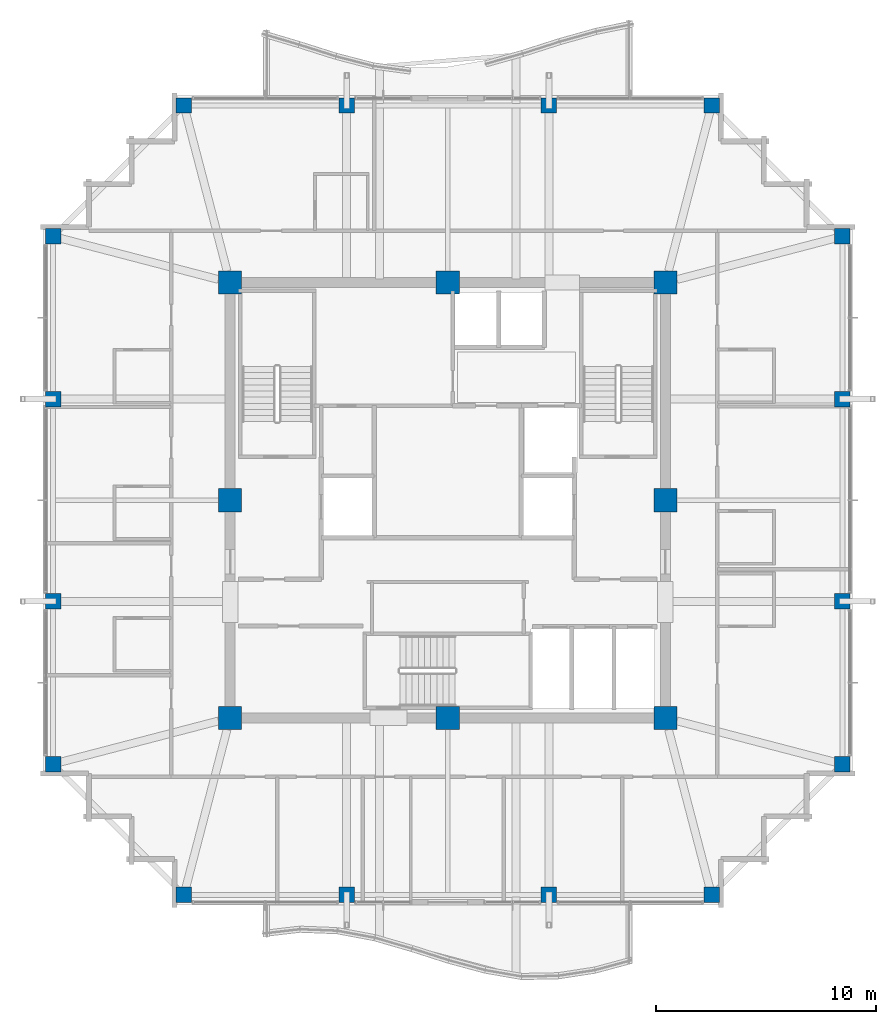
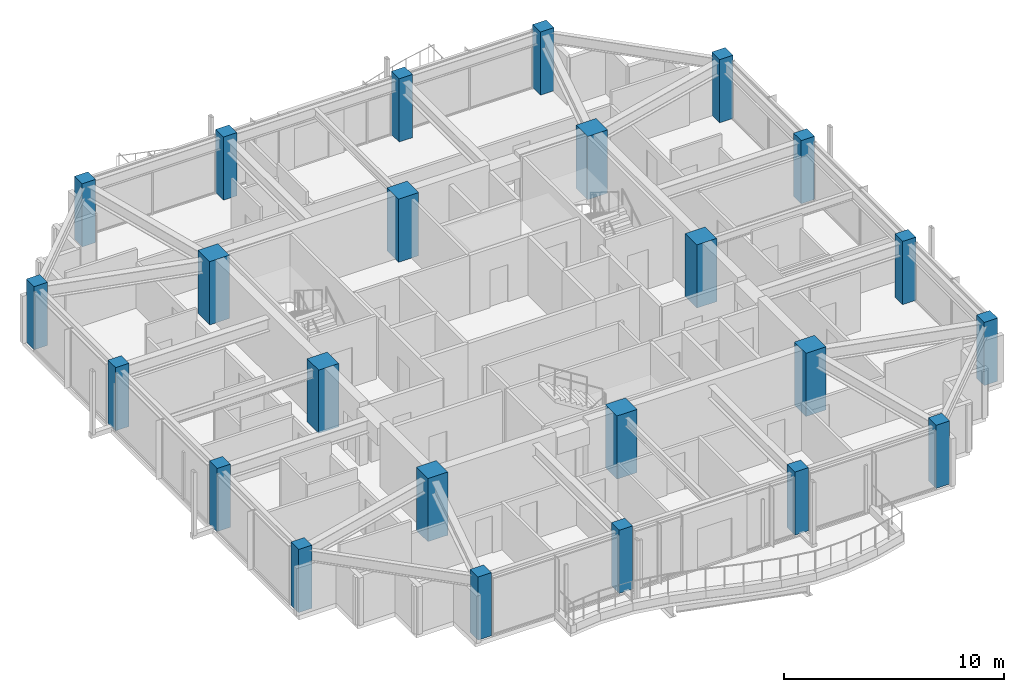
# One storey, part 1 of 31: 24 columns.
"""IFC4 building model written with IfcOpenShell, lengths in metres."""

from ifc_helpers import new_model, si_unit, direction, frame, origin, origin_2d, place, context, subcontext, project, spatial, rectangle, extrude, material, material_profile, profile_set, type_object, element, save


model = new_model("IFC4")

# Units and contexts
model_context = context("Model", 3, precision=1e-05, world=origin(), true_north=direction((0.0, 1.0)))
body_context = subcontext(model_context, "Body", "Model", "MODEL_VIEW")
ifc_project = project(units=[si_unit("LENGTHUNIT", "METRE"), si_unit("AREAUNIT", "SQUARE_METRE"), si_unit("VOLUMEUNIT", "CUBIC_METRE"), si_unit("PLANEANGLEUNIT", "RADIAN"), si_unit("MASSUNIT", "GRAM", prefix="KILO")], contexts=[model_context])

# Site, building, storey
site_placement = place(None, origin())
site = spatial("IfcSite", under=ifc_project, at=site_placement, CompositionType="ELEMENT")
building_placement = place(site_placement, origin())
building = spatial("IfcBuilding", under=site, at=building_placement, Name="Kolvaren Belvedere", CompositionType="ELEMENT")
storey_placement = place(building_placement, frame((0.0, 0.0, 247.89990234375)))
storey = spatial("IfcBuildingStorey", under=building, at=storey_placement, Name="L72", CompositionType="ELEMENT", Elevation=247.89990234375)

# Columns
ifc_material_1 = material(Name="Concrete C50/60", Category="concrete")
ifc_material_profile_1 = material_profile(ifc_material_1, rectangle(XDim=1.050048828125, YDim=1.050048828125, at=origin_2d()), Name="RC 1050X1050")
ifc_profile_set_1 = profile_set([ifc_material_profile_1], Name="Concrete C50/60")
column_type_1 = type_object("IfcColumnType", Name="COL-RC-1050", PredefinedType="COLUMN", material=ifc_profile_set_1)
for number, where, z_axis, x_axis, name in (
    (1, (-9.89990234375, -9.89990234375, 0.0), (0.0, 0.0, 1.0), (1.0, 0.0, 0.0), "L72 Core Column CC1"),
    (2, (9.89990234375, -9.89990234375, 0.0), (0.0, 0.0, 1.0), (1.0, 0.0, 0.0), "L72 Core Column CC2"),
    (3, (9.89990234375, 9.89990234375, 0.0), (0.0, 0.0, 1.0), (1.0, 0.0, 0.0), "L72 Core Column CC3"),
    (4, (-9.89990234375, 9.89990234375, 0.0), (0.0, 0.0, 1.0), (1.0, 0.0, 0.0), "L72 Core Column CC4"),
    (5, (0.0, -9.89990234375, 0.0), (0.0, 0.0, 1.0), (1.0, 0.0, 0.0), "L72 Core Column CM1"),
    (6, (9.89990234375, 0.0, 0.0), (0.0, 0.0, 1.0), (1.0, 0.0, 0.0), "L72 Core Column CM2"),
    (7, (0.0, 9.89990234375, 0.0), (0.0, 0.0, 1.0), (1.0, 0.0, 0.0), "L72 Core Column CM3"),
    (8, (-9.89990234375, 0.0, 0.0), (0.0, 0.0, 1.0), (1.0, 0.0, 0.0), "L72 Core Column CM4"),
):
    element("IfcColumn", number, at=place(storey_placement, frame(where, z_axis=z_axis, x_axis=x_axis)), inside=storey, type_object=column_type_1, Name=name, PredefinedType="COLUMN", context=body_context, shape_type="SweptSolid", body=[
        extrude(rectangle(XDim=1.050048828125, YDim=1.050048828125, at=origin_2d()), origin(), (0.0, 0.0, 1.0), 3.5),
    ])
ifc_material_2 = material(Name="Concrete C50/60", Category="concrete")
ifc_material_profile_2 = material_profile(ifc_material_2, rectangle(XDim=0.699951171875, YDim=0.699951171875, at=origin_2d()), Name="RC 700X700")
ifc_profile_set_2 = profile_set([ifc_material_profile_2], Name="Concrete C50/60")
column_type_2 = type_object("IfcColumnType", Name="COL-RC-700", PredefinedType="COLUMN", material=ifc_profile_set_2)
for number, where, z_axis, x_axis, name in (
    (9, (-12.0, -17.949951171875, 0.0), (0.0, 0.0, 1.0), (1.0, 0.0, 0.0), "L72 Perimeter Column S1"),
    (10, (-4.60009765625, -17.949951171875, 0.0), (0.0, 0.0, 1.0), (1.0, 0.0, 0.0), "L72 Perimeter Column S2"),
    (11, (4.60009765625, -17.949951171875, 0.0), (0.0, 0.0, 1.0), (1.0, 0.0, 0.0), "L72 Perimeter Column S3"),
    (12, (12.0, -17.949951171875, 0.0), (0.0, 0.0, 1.0), (1.0, 0.0, 0.0), "L72 Perimeter Column S4"),
    (13, (-12.0, 17.949951171875, 0.0), (0.0, 0.0, 1.0), (1.0, 0.0, 0.0), "L72 Perimeter Column N1"),
    (14, (-4.60009765625, 17.949951171875, 0.0), (0.0, 0.0, 1.0), (1.0, 0.0, 0.0), "L72 Perimeter Column N2"),
    (15, (4.60009765625, 17.949951171875, 0.0), (0.0, 0.0, 1.0), (1.0, 0.0, 0.0), "L72 Perimeter Column N3"),
    (16, (12.0, 17.949951171875, 0.0), (0.0, 0.0, 1.0), (1.0, 0.0, 0.0), "L72 Perimeter Column N4"),
    (17, (-17.949951171875, -12.0, 0.0), (0.0, 0.0, 1.0), (1.0, 0.0, 0.0), "L72 Perimeter Column W1"),
    (18, (-17.949951171875, -4.60009765625, 0.0), (0.0, 0.0, 1.0), (1.0, 0.0, 0.0), "L72 Perimeter Column W2"),
    (19, (-17.949951171875, 4.60009765625, 0.0), (0.0, 0.0, 1.0), (1.0, 0.0, 0.0), "L72 Perimeter Column W3"),
    (20, (-17.949951171875, 12.0, 0.0), (0.0, 0.0, 1.0), (1.0, 0.0, 0.0), "L72 Perimeter Column W4"),
    (21, (17.949951171875, -12.0, 0.0), (0.0, 0.0, 1.0), (1.0, 0.0, 0.0), "L72 Perimeter Column E1"),
    (22, (17.949951171875, -4.60009765625, 0.0), (0.0, 0.0, 1.0), (1.0, 0.0, 0.0), "L72 Perimeter Column E2"),
    (23, (17.949951171875, 4.60009765625, 0.0), (0.0, 0.0, 1.0), (1.0, 0.0, 0.0), "L72 Perimeter Column E3"),
    (24, (17.949951171875, 12.0, 0.0), (0.0, 0.0, 1.0), (1.0, 0.0, 0.0), "L72 Perimeter Column E4"),
):
    element("IfcColumn", number, at=place(storey_placement, frame(where, z_axis=z_axis, x_axis=x_axis)), inside=storey, type_object=column_type_2, Name=name, PredefinedType="COLUMN", context=body_context, shape_type="SweptSolid", body=[
        extrude(rectangle(XDim=0.699951171875, YDim=0.699951171875, at=origin_2d()), origin(), (0.0, 0.0, 1.0), 3.5),
    ])

save(model, "model.ifc")
